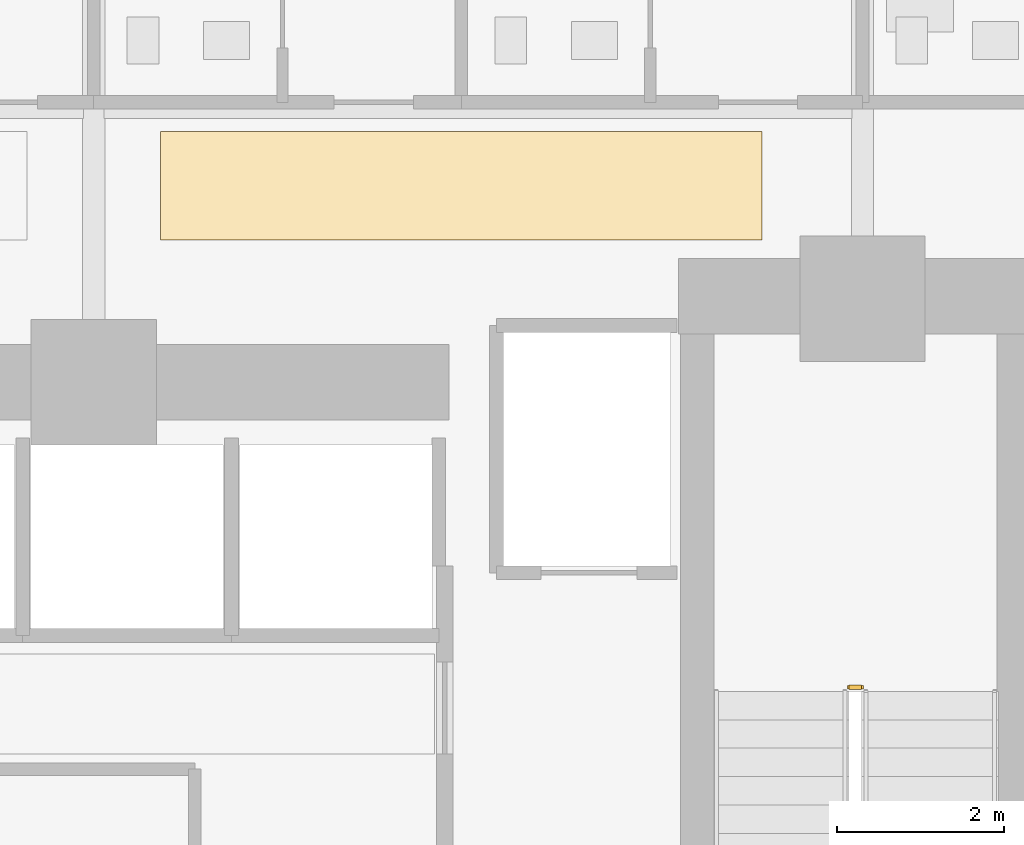
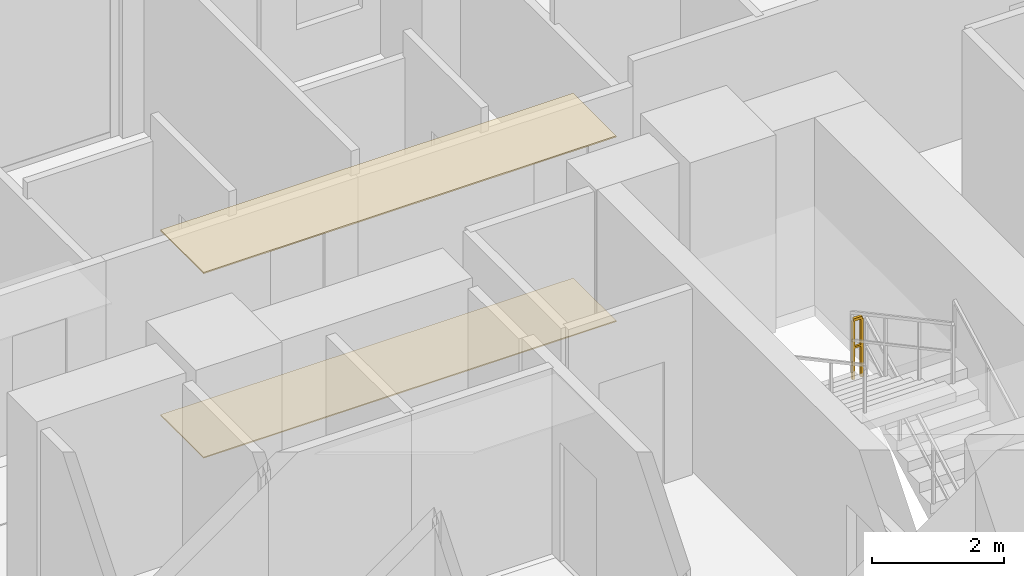
# One storey, part 28 of 29: 2 coverings, 1 railing.
"""IFC4 building model written with IfcOpenShell, lengths in metres."""

from ifc_helpers import new_model, si_unit, direction, frame, origin, origin_2d, place, context, subcontext, project, spatial, polyline, rectangle, outline, extrude, material, layer, layer_set, type_object, element, save


model = new_model("IFC4")

# Units and contexts
model_context = context("Model", 3, precision=1e-05, world=origin(), true_north=direction((0.0, 1.0)))
body_context = subcontext(model_context, "Body", "Model", "MODEL_VIEW")
ifc_project = project(units=[si_unit("LENGTHUNIT", "METRE"), si_unit("AREAUNIT", "SQUARE_METRE"), si_unit("VOLUMEUNIT", "CUBIC_METRE"), si_unit("PLANEANGLEUNIT", "RADIAN"), si_unit("MASSUNIT", "GRAM", prefix="KILO")], contexts=[model_context])

# Site, building, storey
site_placement = place(None, origin())
site = spatial("IfcSite", under=ifc_project, at=site_placement, CompositionType="ELEMENT")
building_placement = place(site_placement, origin())
building = spatial("IfcBuilding", under=site, at=building_placement, Name="Zuhayl Quay Hotel", CompositionType="ELEMENT")
storey_placement = place(building_placement, frame((0.0, 0.0, 64.10009765625)))
storey = spatial("IfcBuildingStorey", under=building, at=storey_placement, Name="L15", CompositionType="ELEMENT", Elevation=64.10009765625)

# Coverings
ifc_material_1 = material(Name="Acoustic Mineral-Fibre Gypsum Board")
ifc_layer_1 = layer(ifc_material_1, 0.02490234375, Name="Acoustic Mineral-Fibre Gypsum Board")
ifc_layer_set_1 = layer_set([ifc_layer_1], Name="Acoustic Mineral-Fibre Gypsum Board")
covering_type_1 = type_object("IfcCoveringType", Name="CV_CEIL_ACOUSTIC", PredefinedType="CEILING", material=ifc_layer_set_1)
covering_1_placement = place(storey_placement, frame((0.0, 0.0, 3.40478515625)))
element("IfcCovering", 1, at=covering_1_placement, inside=storey, type_object=covering_type_1, Name="L15 Guest Corridor Acoustic Ceiling CE", PredefinedType="CEILING", context=body_context, shape_type="SweptSolid", body=[
    extrude(outline(polyline([(5.39990234375, 15.050048828125), (12.60009765625, 15.050048828125), (12.60009765625, 16.35009765625), (5.39990234375, 16.35009765625), (5.39990234375, 15.050048828125)])), origin(), (0.0, 0.0, 1.0), 0.025146484375),
])
ifc_material_2 = material(Name="Polished Limestone Terrazzo", Category="masonry")
ifc_layer_2 = layer(ifc_material_2, 0.02001953125, Name="Polished Limestone Terrazzo", Category="masonry")
ifc_layer_set_2 = layer_set([ifc_layer_2], Name="Polished Limestone Terrazzo")
covering_type_2 = type_object("IfcCoveringType", Name="CV_FLOOR_TERRAZZO", PredefinedType="FLOORING", material=ifc_layer_set_2)
covering_2_placement = place(storey_placement, origin())
element("IfcCovering", 2, at=covering_2_placement, inside=storey, type_object=covering_type_2, Name="L15 Guest Corridor Terrazzo Runner CE", PredefinedType="FLOORING", context=body_context, shape_type="SweptSolid", body=[
    extrude(outline(polyline([(5.39990234375, 15.050048828125), (12.60009765625, 15.050048828125), (12.60009765625, 16.35009765625), (5.39990234375, 16.35009765625), (5.39990234375, 15.050048828125)])), origin(), (0.0, 0.0, 1.0), 0.02001953125),
])

# Railing
ifc_material_3 = material(Name="Steel ASTM A992 Grade 50", Category="steel")
railing_type = type_object("IfcRailingType", Name="RL_GUARD_1100", PredefinedType="GUARDRAIL", material=ifc_material_3)
railing_placement = place(storey_placement, frame((13.7900390625, 9.699951171875, 1.824951171875)))
element("IfcRailing", 3, at=railing_placement, inside=storey, type_object=railing_type, Name="L15 ST2 stair guard 2", PredefinedType="GUARDRAIL", context=body_context, shape_type="SweptSolid", body=[
    extrude(rectangle(XDim=0.048095703125, YDim=0.048095703125, at=origin_2d()), frame((0.0, 0.0, 1.09619140625), z_axis=(-1.0, 0.0, 0.0), x_axis=(0.0, -1.0, 0.0)), (0.0, 0.0, 1.0), 0.150146484375),
    extrude(rectangle(XDim=0.0361328125, YDim=0.0361328125, at=origin_2d()), frame((0.0, 0.0, 0.58251953125), z_axis=(-1.0, 0.0, 0.0), x_axis=(0.0, -1.0, 0.0)), (0.0, 0.0, 1.0), 0.150146484375),
    extrude(rectangle(XDim=0.0419921875, YDim=0.0419921875, at=origin_2d()), origin(), (0.0, 0.0, 1.0), 1.072021484375),
    extrude(rectangle(XDim=0.0419921875, YDim=0.0419921875, at=origin_2d()), frame((-0.150146484375, 0.0, 0.0)), (0.0, 0.0, 1.0), 1.072021484375),
])

save(model, "model.ifc")
